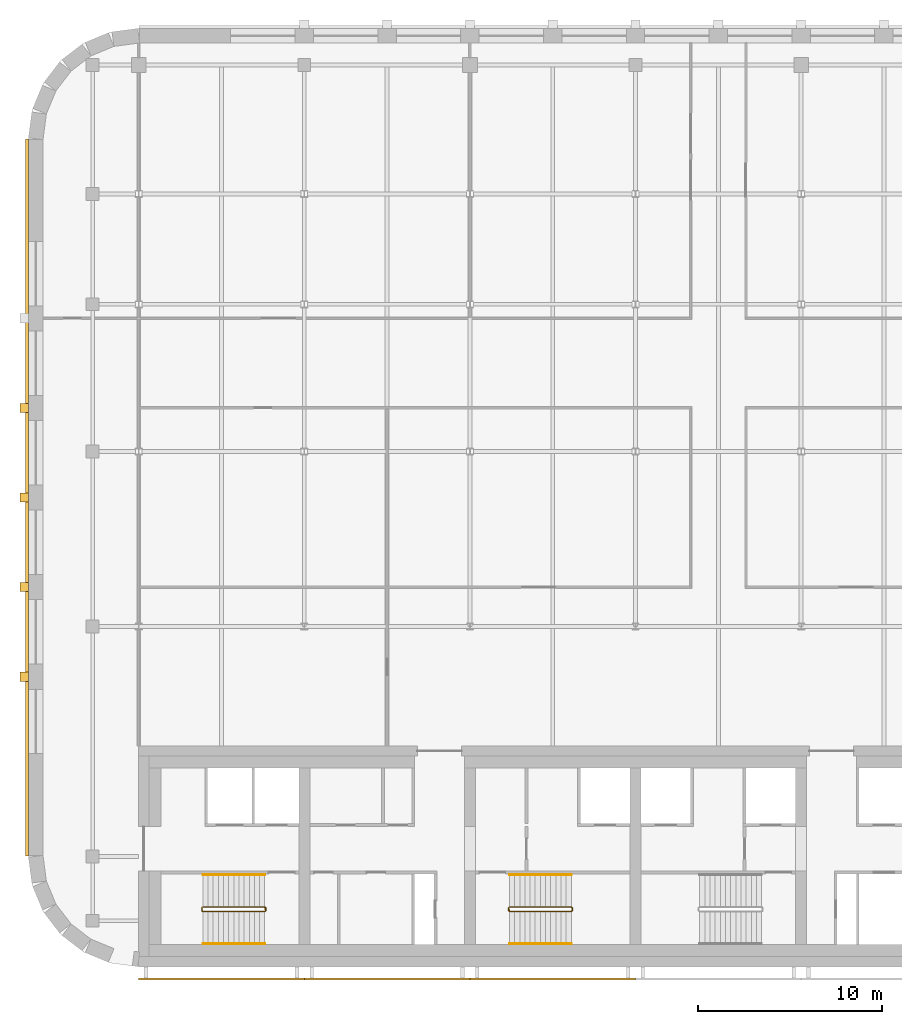
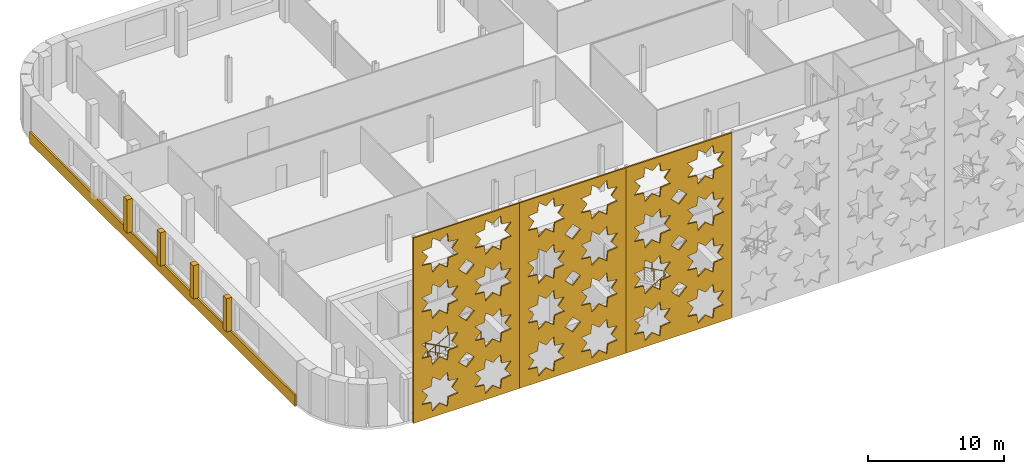
# One storey, part 12 of 14: 8 coverings, 6 railings.
"""IFC4 building model written with IfcOpenShell, lengths in metres."""

import ifcopenshell
import ifcopenshell.guid

model = None  # the IFC model being written
_history = None  # IfcOwnerHistory: only IFC2X3 demands one
_inside = {}  # id of a spatial element -> (the spatial element, [elements in it])
_under = {}  # id of a project, library or spatial element -> (it, [spatial elements below it])
_declared = {}  # id of a project -> (the project, [libraries it declares])
_typed = {}  # id of a type object -> (the type object, [elements of that type])
_made_of = {}  # id of a material, layer set ... -> (it, [elements and type objects made of it])


def new_model(schema):
    """Start an empty IFC model of exactly this schema.

    Asked for "IFC4X3", IfcOpenShell would pick the latest addendum, in which some entities
    have other attributes; the version numbers below select the first issue.
    IFC2X3 requires an IfcOwnerHistory on every rooted entity: one is made here for all.
    """
    global model, _history
    if schema == "IFC4X3":
        model = ifcopenshell.file(schema_version=(4, 3, 0, 0))
    else:
        model = ifcopenshell.file(schema=schema)
    _inside.clear()
    _under.clear()
    _declared.clear()
    _typed.clear()
    _made_of.clear()
    _history = None
    if model.schema == "IFC2X3":
        org = make("IfcOrganization", Name="unknown")
        user = make(
            "IfcPersonAndOrganization",
            ThePerson=make("IfcPerson", FamilyName="unknown"),
            TheOrganization=org,
        )
        app = make(
            "IfcApplication",
            ApplicationDeveloper=org,
            Version="unknown",
            ApplicationFullName="unknown",
            ApplicationIdentifier="unknown",
        )
        _history = make(
            "IfcOwnerHistory",
            OwningUser=user,
            OwningApplication=app,
            ChangeAction="ADDED",
            CreationDate=0,
        )
    return model


def make(cls, **values):
    """One entity of the class cls with the attributes given. An attribute that is None is left unset."""
    return model.create_entity(
        cls, **{name: value for name, value in values.items() if value is not None}
    )


def rooted(cls, **values):
    """An entity with a GlobalId (a new one), such as an element, a storey or a relation."""
    return make(cls, GlobalId=ifcopenshell.guid.new(), OwnerHistory=_history, **values)


def si_unit(unit_type, name, prefix=None):
    """IfcSIUnit, for example si_unit("LENGTHUNIT", "METRE", prefix="MILLI")."""
    return make("IfcSIUnit", UnitType=unit_type, Prefix=prefix, Name=name)


def assignment(units):
    """IfcUnitAssignment: the units of a project."""
    return None if units is None else make("IfcUnitAssignment", Units=units)


def point(xyz):
    """IfcCartesianPoint."""
    return None if xyz is None else make("IfcCartesianPoint", Coordinates=xyz)


def direction(xyz):
    """IfcDirection."""
    return None if xyz is None else make("IfcDirection", DirectionRatios=xyz)


def frame(location, z_axis=None, x_axis=None):
    """IfcAxis2Placement3D, a coordinate frame: its origin and axes. An axis left out is left unset."""
    return make(
        "IfcAxis2Placement3D",
        Location=point(location),
        Axis=direction(z_axis),
        RefDirection=direction(x_axis),
    )


def frame_2d(location, x_axis=None):
    """IfcAxis2Placement2D, a coordinate frame in the plane: its origin and x axis."""
    return make(
        "IfcAxis2Placement2D", Location=point(location), RefDirection=direction(x_axis)
    )


def origin():
    """The frame at (0, 0, 0) with its axes left unset."""
    return frame((0.0, 0.0, 0.0))


def origin_2d():
    """The frame at (0, 0) in the plane with its x axis left unset."""
    return frame_2d((0.0, 0.0))


def place(relative_to, where):
    """IfcLocalPlacement: puts the frame where relative to a parent placement (None: the world)."""
    return make(
        "IfcLocalPlacement", PlacementRelTo=relative_to, RelativePlacement=where
    )


def context(
    kind, dimensions, precision=None, world=None, true_north=None, identifier=None
):
    """IfcGeometricRepresentationContext, for example the 3D "Model" context."""
    return make(
        "IfcGeometricRepresentationContext",
        ContextIdentifier=identifier,
        ContextType=kind,
        CoordinateSpaceDimension=dimensions,
        Precision=precision,
        WorldCoordinateSystem=world,
        TrueNorth=true_north,
    )


def subcontext(parent, identifier, kind, view, scale=None):
    """IfcGeometricRepresentationSubContext, for example "Body" below "Model"."""
    return make(
        "IfcGeometricRepresentationSubContext",
        ContextIdentifier=identifier,
        ContextType=kind,
        ParentContext=parent,
        TargetScale=scale,
        TargetView=view,
    )


def project(units=None, contexts=None):
    """IfcProject with its units and contexts."""
    return rooted(
        "IfcProject",
        Name="project",
        RepresentationContexts=contexts,
        UnitsInContext=assignment(units),
    )


def spatial(cls, under=None, at=None, **own):
    """A site, building, storey or space (cls), placed at a placement, below another one or the project."""
    s = rooted(cls, ObjectPlacement=at, **own)
    if under is not None:
        _under.setdefault(under.id(), (under, []))[1].append(s)
    return s


def polyline(points):
    """IfcPolyline through the points."""
    return make("IfcPolyline", Points=[point(p) for p in points])


def profile(cls, at=None, kind="AREA", **sizes):
    """A parametric profile (cls). Its sizes go by their IFC names, for example OverallWidth=200.0."""
    return make(cls, ProfileType=kind, Position=at, **sizes)


def circle(**sizes):
    """IfcCircleProfileDef."""
    return profile("IfcCircleProfileDef", **sizes)


def outline(outer, holes=None, kind="AREA"):
    """IfcArbitraryClosedProfileDef: a profile drawn as a closed curve; with holes, ...WithVoids."""
    if holes is None:
        return make("IfcArbitraryClosedProfileDef", ProfileType=kind, OuterCurve=outer)
    return make(
        "IfcArbitraryProfileDefWithVoids",
        ProfileType=kind,
        OuterCurve=outer,
        InnerCurves=holes,
    )


def extrude(swept, where, along, depth):
    """IfcExtrudedAreaSolid: the profile swept, set in the frame where, extruded along a direction by depth."""
    return make(
        "IfcExtrudedAreaSolid",
        SweptArea=swept,
        Position=where,
        ExtrudedDirection=direction(along),
        Depth=depth,
    )


def shape(context_of_items, identifier, shape_type, items):
    """IfcShapeRepresentation: the items that make up one representation, for example the "Body"."""
    return make(
        "IfcShapeRepresentation",
        ContextOfItems=context_of_items,
        RepresentationIdentifier=identifier,
        RepresentationType=shape_type,
        Items=items,
    )


def material(Name=None, Category=None):
    """IfcMaterial."""
    return make("IfcMaterial", Name=Name, Category=Category)


def layer(
    of_material, thickness, ventilated=None, Name=None, Category=None, Priority=None
):
    """IfcMaterialLayer: one layer of a wall or slab, of a material (None: an air gap)."""
    return make(
        "IfcMaterialLayer",
        Material=of_material,
        LayerThickness=thickness,
        IsVentilated=ventilated,
        Name=Name,
        Category=Category,
        Priority=Priority,
    )


def layer_set(layers, Name=None):
    """IfcMaterialLayerSet."""
    return make("IfcMaterialLayerSet", MaterialLayers=layers, LayerSetName=Name)


def made_of(thing, what):
    """Note that an element or type object is made of a material, layer set ...; save() writes the relation."""
    if what is not None:
        _made_of.setdefault(what.id(), (what, []))[1].append(thing)
    return thing


def type_object(cls, material=None, **own):
    """A type object (cls), such as IfcWallType, which elements share."""
    return made_of(rooted(cls, **own), material)


def element(
    cls,
    number,
    at=None,
    inside=None,
    cuts=None,
    type_object=None,
    material=None,
    context=None,
    identifier="Body",
    shape_type=None,
    held_by="IfcProductDefinitionShape",
    body=None,
    shapes=None,
    **own,
):
    """One element of the class cls, such as IfcWall. Its Tag is "e" and its number.

    at: its placement. inside: the storey or other place that contains it. cuts: it is an
    opening in that element (IfcRelVoidsElement). A single representation is given by context,
    identifier, shape_type and body (its items); several are given by shapes. held_by: the class
    of the entity that holds the representations. save() writes the other relations.
    """
    e = rooted(cls, Tag="e%d" % number, ObjectPlacement=at, **own)
    if body is not None:
        shapes = [shape(context, identifier, shape_type, body)]
    if shapes is not None:
        e.Representation = make(held_by, Representations=shapes)
    if inside is not None:
        _inside.setdefault(inside.id(), (inside, []))[1].append(e)
    if cuts is not None:
        rooted(
            "IfcRelVoidsElement", RelatingBuildingElement=cuts, RelatedOpeningElement=e
        )
    if type_object is not None:
        _typed.setdefault(type_object.id(), (type_object, []))[1].append(e)
    return made_of(e, material)


def aggregate(whole, parts):
    """IfcRelAggregates: a whole, such as a stair, and the parts it consists of."""
    return rooted("IfcRelAggregates", RelatingObject=whole, RelatedObjects=parts)


def save(model, path):
    """Write the relations noted so far, then the file.

    IfcRelAggregates (storeys below a building ...), IfcRelContainedInSpatialStructure (elements
    in a storey), IfcRelDefinesByType, IfcRelAssociatesMaterial and IfcRelDeclares: one each for
    every whole, place, type object, material and project.
    """
    for whole, parts in _under.values():
        aggregate(whole, parts)
    for where, things in _inside.values():
        rooted(
            "IfcRelContainedInSpatialStructure",
            RelatedElements=things,
            RelatingStructure=where,
        )
    for kind, things in _typed.values():
        rooted("IfcRelDefinesByType", RelatedObjects=things, RelatingType=kind)
    for what, things in _made_of.values():
        rooted("IfcRelAssociatesMaterial", RelatedObjects=things, RelatingMaterial=what)
    for by, libraries in _declared.values():
        rooted("IfcRelDeclares", RelatingContext=by, RelatedDefinitions=libraries)
    model.write(path)


model = new_model("IFC4")

# Units and contexts
model_context = context("Model", 3, precision=1e-05, world=origin(), true_north=direction((0.0, 1.0)))
body_context = subcontext(model_context, "Body", "Model", "MODEL_VIEW")
ifc_project = project(units=[si_unit("LENGTHUNIT", "METRE"), si_unit("AREAUNIT", "SQUARE_METRE"), si_unit("VOLUMEUNIT", "CUBIC_METRE"), si_unit("PLANEANGLEUNIT", "RADIAN"), si_unit("MASSUNIT", "GRAM", prefix="KILO")], contexts=[model_context])

# Site, building, storey
site_placement = place(None, origin())
site = spatial("IfcSite", under=ifc_project, at=site_placement, CompositionType="ELEMENT")
building_placement = place(site_placement, origin())
building = spatial("IfcBuilding", under=site, at=building_placement, Name="Zellij Exchange Tower", CompositionType="ELEMENT")
storey_placement = place(building_placement, frame((0.0, 0.0, 288.5)))
storey = spatial("IfcBuildingStorey", under=building, at=storey_placement, Name="L68", CompositionType="ELEMENT", Elevation=288.5)

# Railings
ifc_material_1 = material(Name="Stainless steel", Category="steel")
railing_type_1 = type_object("IfcRailingType", Name="CORE-RG stair guard", PredefinedType="GUARDRAIL", material=ifc_material_1)
railing_1_placement = place(storey_placement, frame((-20.10009765625, -10.800048828125, 0.0)))
element("IfcRailing", 1, at=railing_1_placement, inside=storey, type_object=railing_type_1, Name="ST1 stair guard L68", PredefinedType="GUARDRAIL", context=body_context, shape_type="SweptSolid", body=[
    extrude(circle(Radius=0.02392578125, at=origin_2d()), frame((0.0, 0.0, 1.076171875), z_axis=(0.0, -1.0, 0.0), x_axis=(1.0, 0.0, 0.0)), (0.0, 0.0, 1.0), 0.14990234375),
    extrude(circle(Radius=0.02392578125, at=origin_2d()), frame((0.0, -0.14990234375, 1.076171875), z_axis=(-0.193691321961, 0.777613689637, 0.598164376644), x_axis=(-0.970351222016, -0.241699205484, 0.0)), (0.0, 0.0, 1.0), 0.257080078125),
    extrude(circle(Radius=0.02392578125, at=origin_2d()), frame((-0.0498046875, 0.050048828125, 1.22998046875), z_axis=(-0.876421534553, 0.0, 0.481544695509), x_axis=(0.0, -1.0, 0.0)), (0.0, 0.0, 1.0), 3.833984375),
    extrude(circle(Radius=0.02392578125, at=origin_2d()), frame((-3.409912109375, 0.050048828125, 3.076171875), z_axis=(-0.707106781187, -0.707106781187, 0.0), x_axis=(0.707106781187, -0.707106781187, 0.0)), (0.0, 0.0, 1.0), 0.07080078125),
    extrude(circle(Radius=0.02392578125, at=origin_2d()), frame((-3.4599609375, 0.0, 3.076171875), z_axis=(0.0, -1.0, 0.0), x_axis=(1.0, 0.0, 0.0)), (0.0, 0.0, 1.0), 0.14990234375),
    extrude(circle(Radius=0.02392578125, at=origin_2d()), frame((-3.4599609375, -0.14990234375, 3.076171875), z_axis=(0.295599637079, -0.295599637079, 0.908428152975), x_axis=(0.707106781187, 0.707106781187, 0.0)), (0.0, 0.0, 1.0), 0.16943359375),
    extrude(circle(Radius=0.02392578125, at=origin_2d()), frame((-3.409912109375, -0.199951171875, 3.22998046875), z_axis=(0.876421534553, 0.0, 0.481544695509), x_axis=(0.0, 1.0, 0.0)), (0.0, 0.0, 1.0), 3.833984375),
    extrude(circle(Radius=0.02099609375, at=origin_2d()), origin(), (0.0, 0.0, 1.0), 1.052001953125),
    extrude(circle(Radius=0.02099609375, at=origin_2d()), frame((0.0, -0.14990234375, 0.0)), (0.0, 0.0, 1.0), 1.052001953125),
    extrude(circle(Radius=0.02099609375, at=origin_2d()), frame((-0.0498046875, 0.050048828125, 0.15380859375)), (0.0, 0.0, 1.0), 1.052001953125),
    extrude(circle(Radius=0.02099609375, at=origin_2d()), frame((-0.889892578125, 0.050048828125, 0.615234375)), (0.0, 0.0, 1.0), 1.052001953125),
    extrude(circle(Radius=0.02099609375, at=origin_2d()), frame((-1.72998046875, 0.050048828125, 1.076904296875)), (0.0, 0.0, 1.0), 1.052001953125),
    extrude(circle(Radius=0.02099609375, at=origin_2d()), frame((-2.56982421875, 0.050048828125, 1.53857421875)), (0.0, 0.0, 1.0), 1.052001953125),
    extrude(circle(Radius=0.02099609375, at=origin_2d()), frame((-3.409912109375, 0.050048828125, 2.0)), (0.0, 0.0, 1.0), 1.052001953125),
    extrude(circle(Radius=0.02099609375, at=origin_2d()), frame((-3.4599609375, 0.0, 2.0)), (0.0, 0.0, 1.0), 1.052001953125),
    extrude(circle(Radius=0.02099609375, at=origin_2d()), frame((-3.4599609375, -0.14990234375, 2.0)), (0.0, 0.0, 1.0), 1.052001953125),
    extrude(circle(Radius=0.02099609375, at=origin_2d()), frame((-3.409912109375, -0.199951171875, 2.15380859375)), (0.0, 0.0, 1.0), 1.052001953125),
    extrude(circle(Radius=0.02099609375, at=origin_2d()), frame((-2.56982421875, -0.199951171875, 2.615234375)), (0.0, 0.0, 1.0), 1.052001953125),
    extrude(circle(Radius=0.02099609375, at=origin_2d()), frame((-1.72998046875, -0.199951171875, 3.076904296875)), (0.0, 0.0, 1.0), 1.052001953125),
    extrude(circle(Radius=0.02099609375, at=origin_2d()), frame((-0.889892578125, -0.199951171875, 3.53857421875)), (0.0, 0.0, 1.0), 1.052001953125),
    extrude(circle(Radius=0.02099609375, at=origin_2d()), frame((-0.0498046875, -0.199951171875, 4.0)), (0.0, 0.0, 1.0), 1.052001953125),
])
railing_2_placement = place(storey_placement, frame((-6.89990234375, -10.949951171875, 0.0)))
element("IfcRailing", 2, at=railing_2_placement, inside=storey, type_object=railing_type_1, Name="ST2 stair guard L68", PredefinedType="GUARDRAIL", context=body_context, shape_type="SweptSolid", body=[
    extrude(circle(Radius=0.02392578125, at=origin_2d()), frame((0.0, 0.0, 1.076171875), z_axis=(0.0, 1.0, 0.0), x_axis=(-1.0, 0.0, 0.0)), (0.0, 0.0, 1.0), 0.14990234375),
    extrude(circle(Radius=0.02392578125, at=origin_2d()), frame((0.0, 0.14990234375, 1.076171875), z_axis=(0.193691321961, -0.777613689637, 0.598164376644), x_axis=(0.970351222016, 0.241699205484, 0.0)), (0.0, 0.0, 1.0), 0.257080078125),
    extrude(circle(Radius=0.02392578125, at=origin_2d()), frame((0.0498046875, -0.050048828125, 1.22998046875), z_axis=(0.876421534553, 0.0, 0.481544695509), x_axis=(0.0, 1.0, 0.0)), (0.0, 0.0, 1.0), 3.833984375),
    extrude(circle(Radius=0.02392578125, at=origin_2d()), frame((3.409912109375, -0.050048828125, 3.076171875), z_axis=(0.707106781187, 0.707106781187, 0.0), x_axis=(-0.707106781187, 0.707106781187, 0.0)), (0.0, 0.0, 1.0), 0.07080078125),
    extrude(circle(Radius=0.02392578125, at=origin_2d()), frame((3.4599609375, 0.0, 3.076171875), z_axis=(0.0, 1.0, 0.0), x_axis=(-1.0, 0.0, 0.0)), (0.0, 0.0, 1.0), 0.14990234375),
    extrude(circle(Radius=0.02392578125, at=origin_2d()), frame((3.4599609375, 0.14990234375, 3.076171875), z_axis=(-0.295599637079, 0.295599637079, 0.908428152975), x_axis=(-0.707106781187, -0.707106781187, 0.0)), (0.0, 0.0, 1.0), 0.16943359375),
    extrude(circle(Radius=0.02392578125, at=origin_2d()), frame((3.409912109375, 0.199951171875, 3.22998046875), z_axis=(-0.876421534553, 0.0, 0.481544695509), x_axis=(0.0, -1.0, 0.0)), (0.0, 0.0, 1.0), 3.833984375),
    extrude(circle(Radius=0.02099609375, at=origin_2d()), origin(), (0.0, 0.0, 1.0), 1.052001953125),
    extrude(circle(Radius=0.02099609375, at=origin_2d()), frame((0.0, 0.14990234375, 0.0)), (0.0, 0.0, 1.0), 1.052001953125),
    extrude(circle(Radius=0.02099609375, at=origin_2d()), frame((0.0498046875, -0.050048828125, 0.15380859375)), (0.0, 0.0, 1.0), 1.052001953125),
    extrude(circle(Radius=0.02099609375, at=origin_2d()), frame((0.889892578125, -0.050048828125, 0.615234375)), (0.0, 0.0, 1.0), 1.052001953125),
    extrude(circle(Radius=0.02099609375, at=origin_2d()), frame((1.72998046875, -0.050048828125, 1.076904296875)), (0.0, 0.0, 1.0), 1.052001953125),
    extrude(circle(Radius=0.02099609375, at=origin_2d()), frame((2.56982421875, -0.050048828125, 1.53857421875)), (0.0, 0.0, 1.0), 1.052001953125),
    extrude(circle(Radius=0.02099609375, at=origin_2d()), frame((3.409912109375, -0.050048828125, 2.0)), (0.0, 0.0, 1.0), 1.052001953125),
    extrude(circle(Radius=0.02099609375, at=origin_2d()), frame((3.4599609375, 0.0, 2.0)), (0.0, 0.0, 1.0), 1.052001953125),
    extrude(circle(Radius=0.02099609375, at=origin_2d()), frame((3.4599609375, 0.14990234375, 2.0)), (0.0, 0.0, 1.0), 1.052001953125),
    extrude(circle(Radius=0.02099609375, at=origin_2d()), frame((3.409912109375, 0.199951171875, 2.15380859375)), (0.0, 0.0, 1.0), 1.052001953125),
    extrude(circle(Radius=0.02099609375, at=origin_2d()), frame((2.56982421875, 0.199951171875, 2.615234375)), (0.0, 0.0, 1.0), 1.052001953125),
    extrude(circle(Radius=0.02099609375, at=origin_2d()), frame((1.72998046875, 0.199951171875, 3.076904296875)), (0.0, 0.0, 1.0), 1.052001953125),
    extrude(circle(Radius=0.02099609375, at=origin_2d()), frame((0.889892578125, 0.199951171875, 3.53857421875)), (0.0, 0.0, 1.0), 1.052001953125),
    extrude(circle(Radius=0.02099609375, at=origin_2d()), frame((0.0498046875, 0.199951171875, 4.0)), (0.0, 0.0, 1.0), 1.052001953125),
])
railing_type_2 = type_object("IfcRailingType", Name="CORE-RH stair handrail", PredefinedType="HANDRAIL", material=ifc_material_1)
railing_3_placement = place(storey_placement, frame((-20.14990234375, -9.0, 0.15380859375)))
element("IfcRailing", 3, at=railing_3_placement, inside=storey, type_object=railing_type_2, Name="ST1 stair handrail L68", PredefinedType="HANDRAIL", context=body_context, shape_type="SweptSolid", body=[
    extrude(circle(Radius=0.02392578125, at=origin_2d()), frame((0.0, 0.0, 0.8759765625), z_axis=(-0.876421534553, 0.0, 0.481544695509), x_axis=(0.0, -1.0, 0.0)), (0.0, 0.0, 1.0), 3.833984375),
    extrude(circle(Radius=0.02099609375, at=origin_2d()), origin(), (0.0, 0.0, 1.0), 0.851806640625),
    extrude(circle(Radius=0.02099609375, at=origin_2d()), frame((-0.840087890625, 0.0, 0.46142578125)), (0.0, 0.0, 1.0), 0.851806640625),
    extrude(circle(Radius=0.02099609375, at=origin_2d()), frame((-1.68017578125, 0.0, 0.923095703125)), (0.0, 0.0, 1.0), 0.851806640625),
    extrude(circle(Radius=0.02099609375, at=origin_2d()), frame((-2.52001953125, 0.0, 1.384765625)), (0.0, 0.0, 1.0), 0.851806640625),
    extrude(circle(Radius=0.02099609375, at=origin_2d()), frame((-3.360107421875, 0.0, 1.84619140625)), (0.0, 0.0, 1.0), 0.851806640625),
])
for number, where, name in (
    (4, (-23.510009765625, -12.75, 2.15380859375), "ST1 stair handrail L68"),
    (5, (-6.85009765625, -12.75, 0.15380859375), "ST2 stair handrail L68"),
):
    element("IfcRailing", number, at=place(storey_placement, frame(where)), inside=storey, type_object=railing_type_2, Name=name, PredefinedType="HANDRAIL", context=body_context, shape_type="SweptSolid", body=[
        extrude(circle(Radius=0.02392578125, at=origin_2d()), frame((0.0, 0.0, 0.8759765625), z_axis=(0.876421534553, 0.0, 0.481544695509), x_axis=(0.0, 1.0, 0.0)), (0.0, 0.0, 1.0), 3.833984375),
        extrude(circle(Radius=0.02099609375, at=origin_2d()), origin(), (0.0, 0.0, 1.0), 0.851806640625),
        extrude(circle(Radius=0.02099609375, at=origin_2d()), frame((0.840087890625, 0.0, 0.46142578125)), (0.0, 0.0, 1.0), 0.851806640625),
        extrude(circle(Radius=0.02099609375, at=origin_2d()), frame((1.68017578125, 0.0, 0.923095703125)), (0.0, 0.0, 1.0), 0.851806640625),
        extrude(circle(Radius=0.02099609375, at=origin_2d()), frame((2.52001953125, 0.0, 1.384765625)), (0.0, 0.0, 1.0), 0.851806640625),
        extrude(circle(Radius=0.02099609375, at=origin_2d()), frame((3.360107421875, 0.0, 1.84619140625)), (0.0, 0.0, 1.0), 0.851806640625),
    ])
railing_4_placement = place(storey_placement, frame((-3.489990234375, -9.0, 2.15380859375)))
element("IfcRailing", 6, at=railing_4_placement, inside=storey, type_object=railing_type_2, Name="ST2 stair handrail L68", PredefinedType="HANDRAIL", context=body_context, shape_type="SweptSolid", body=[
    extrude(circle(Radius=0.02392578125, at=origin_2d()), frame((0.0, 0.0, 0.8759765625), z_axis=(-0.876421534553, 0.0, 0.481544695509), x_axis=(0.0, -1.0, 0.0)), (0.0, 0.0, 1.0), 3.833984375),
    extrude(circle(Radius=0.02099609375, at=origin_2d()), origin(), (0.0, 0.0, 1.0), 0.851806640625),
    extrude(circle(Radius=0.02099609375, at=origin_2d()), frame((-0.840087890625, 0.0, 0.46142578125)), (0.0, 0.0, 1.0), 0.851806640625),
    extrude(circle(Radius=0.02099609375, at=origin_2d()), frame((-1.68017578125, 0.0, 0.923095703125)), (0.0, 0.0, 1.0), 0.851806640625),
    extrude(circle(Radius=0.02099609375, at=origin_2d()), frame((-2.52001953125, 0.0, 1.384765625)), (0.0, 0.0, 1.0), 0.851806640625),
    extrude(circle(Radius=0.02099609375, at=origin_2d()), frame((-3.360107421875, 0.0, 1.84619140625)), (0.0, 0.0, 1.0), 0.851806640625),
])

# Coverings
ifc_material_2 = material(Name="Limestone cladding", Category="masonry")
ifc_layer_1 = layer(ifc_material_2, 0.14990234375)
ifc_layer_set_1 = layer_set([ifc_layer_1], Name="Limestone cladding")
covering_type_1 = type_object("IfcCoveringType", Name="ENV-CV1 Stone spandrel band 150", PredefinedType="CLADDING", material=ifc_layer_set_1)
covering_1_placement = place(storey_placement, frame((0.0, 0.0, -0.219970703125)))
element("IfcCovering", 7, at=covering_1_placement, inside=storey, type_object=covering_type_1, Name="Stone spandrel band", PredefinedType="CLADDING", context=body_context, shape_type="SweptSolid", body=[
    extrude(outline(polyline([(-33.0, 30.973876953125), (-33.0, -7.973876953125), (-33.14990234375, -7.983642578125), (-33.14990234375, 30.983642578125), (-33.0, 30.973876953125)])), origin(), (0.0, 0.0, 1.0), 1.02001953125),
])
covering_type_2 = type_object("IfcCoveringType", Name="ENV-CV4 Stone pier 500x450", PredefinedType="CLADDING", material=ifc_material_2)
covering_2_placement = place(storey_placement, frame((0.0, 0.0, 0.800048828125)))
element("IfcCovering", 8, at=covering_2_placement, inside=storey, type_object=covering_type_2, Name="Stone pier", PredefinedType="CLADDING", context=body_context, shape_type="SweptSolid", body=[
    extrude(outline(polyline([(-33.0, 16.618408203125), (-33.0, 16.118408203125), (-33.449951171875, 16.118408203125), (-33.449951171875, 16.618408203125), (-33.0, 16.618408203125)])), origin(), (0.0, 0.0, 1.0), 2.97998046875),
])
covering_3_placement = place(storey_placement, frame((0.0, 0.0, 0.800048828125)))
element("IfcCovering", 9, at=covering_3_placement, inside=storey, type_object=covering_type_2, Name="Stone pier", PredefinedType="CLADDING", context=body_context, shape_type="SweptSolid", body=[
    extrude(outline(polyline([(-33.0, 11.75), (-33.0, 11.25), (-33.449951171875, 11.25), (-33.449951171875, 11.75), (-33.0, 11.75)])), origin(), (0.0, 0.0, 1.0), 2.97998046875),
])
covering_4_placement = place(storey_placement, frame((0.0, 0.0, 0.800048828125)))
element("IfcCovering", 10, at=covering_4_placement, inside=storey, type_object=covering_type_2, Name="Stone pier", PredefinedType="CLADDING", context=body_context, shape_type="SweptSolid", body=[
    extrude(outline(polyline([(-33.0, 6.881591796875), (-33.0, 6.381591796875), (-33.449951171875, 6.381591796875), (-33.449951171875, 6.881591796875), (-33.0, 6.881591796875)])), origin(), (0.0, 0.0, 1.0), 2.97998046875),
])
covering_5_placement = place(storey_placement, frame((0.0, 0.0, 0.800048828125)))
element("IfcCovering", 11, at=covering_5_placement, inside=storey, type_object=covering_type_2, Name="Stone pier", PredefinedType="CLADDING", context=body_context, shape_type="SweptSolid", body=[
    extrude(outline(polyline([(-33.0, 2.01318359375), (-33.0, 1.51318359375), (-33.449951171875, 1.51318359375), (-33.449951171875, 2.01318359375), (-33.0, 2.01318359375)])), origin(), (0.0, 0.0, 1.0), 2.97998046875),
])
ifc_material_3 = material(Name="Limestone screen", Category="masonry")
ifc_layer_2 = layer(ifc_material_3, 0.1201171875)
ifc_layer_set_2 = layer_set([ifc_layer_2], Name="Limestone screen")
covering_type_3 = type_object("IfcCoveringType", Name="ENV-SC5 Pierced stone relief 120", PredefinedType="USERDEFINED", material=ifc_layer_set_2)
covering_6_placement = place(storey_placement, frame((-27.0, -14.659912109375, 0.199951171875), z_axis=(0.0, 0.0, 1.0), x_axis=(1.0, 0.0, 0.0)))
element("IfcCovering", 12, at=covering_6_placement, inside=storey, type_object=covering_type_3, Name="Pierced stone relief", ObjectType="SCREEN", PredefinedType="USERDEFINED", context=body_context, shape_type="SweptSolid", body=[
    extrude(outline(polyline([(0.0, 0.0), (9.0, 0.0), (9.0, 16.60009765625), (0.0, 16.60009765625), (0.0, 0.0)]), holes=[polyline([(3.78369140625, 2.710205078125), (2.977783203125, 2.802734375), (2.88525390625, 3.608642578125), (2.25, 3.104248046875), (1.61474609375, 3.608642578125), (1.522216796875, 2.802734375), (0.71630859375, 2.710205078125), (1.220703125, 2.074951171875), (0.71630859375, 1.439697265625), (1.522216796875, 1.34716796875), (1.61474609375, 0.54150390625), (2.25, 1.0458984375), (2.88525390625, 0.54150390625), (2.977783203125, 1.34716796875), (3.78369140625, 1.439697265625), (3.279296875, 2.074951171875), (3.78369140625, 2.710205078125)]), polyline([(3.78369140625, 6.8603515625), (2.977783203125, 6.952880859375), (2.88525390625, 7.758544921875), (2.25, 7.254150390625), (1.61474609375, 7.758544921875), (1.522216796875, 6.952880859375), (0.71630859375, 6.8603515625), (1.220703125, 6.22509765625), (0.71630859375, 5.589599609375), (1.522216796875, 5.497314453125), (1.61474609375, 4.69140625), (2.25, 5.19580078125), (2.88525390625, 4.69140625), (2.977783203125, 5.497314453125), (3.78369140625, 5.589599609375), (3.279296875, 6.22509765625), (3.78369140625, 6.8603515625)]), polyline([(3.78369140625, 11.01025390625), (2.977783203125, 11.102783203125), (2.88525390625, 11.90869140625), (2.25, 11.404296875), (1.61474609375, 11.90869140625), (1.522216796875, 11.102783203125), (0.71630859375, 11.01025390625), (1.220703125, 10.375), (0.71630859375, 9.73974609375), (1.522216796875, 9.647216796875), (1.61474609375, 8.84130859375), (2.25, 9.345703125), (2.88525390625, 8.84130859375), (2.977783203125, 9.647216796875), (3.78369140625, 9.73974609375), (3.279296875, 10.375), (3.78369140625, 11.01025390625)]), polyline([(3.78369140625, 15.160400390625), (2.977783203125, 15.252685546875), (2.88525390625, 16.05859375), (2.25, 15.55419921875), (1.61474609375, 16.05859375), (1.522216796875, 15.252685546875), (0.71630859375, 15.160400390625), (1.220703125, 14.52490234375), (0.71630859375, 13.8896484375), (1.522216796875, 13.797119140625), (1.61474609375, 12.991455078125), (2.25, 13.495849609375), (2.88525390625, 12.991455078125), (2.977783203125, 13.797119140625), (3.78369140625, 13.8896484375), (3.279296875, 14.52490234375), (3.78369140625, 15.160400390625)]), polyline([(8.28369140625, 2.710205078125), (7.477783203125, 2.802734375), (7.38525390625, 3.608642578125), (6.75, 3.104248046875), (6.11474609375, 3.608642578125), (6.022216796875, 2.802734375), (5.21630859375, 2.710205078125), (5.720703125, 2.074951171875), (5.21630859375, 1.439697265625), (6.022216796875, 1.34716796875), (6.11474609375, 0.54150390625), (6.75, 1.0458984375), (7.38525390625, 0.54150390625), (7.477783203125, 1.34716796875), (8.28369140625, 1.439697265625), (7.779296875, 2.074951171875), (8.28369140625, 2.710205078125)]), polyline([(8.28369140625, 6.8603515625), (7.477783203125, 6.952880859375), (7.38525390625, 7.758544921875), (6.75, 7.254150390625), (6.11474609375, 7.758544921875), (6.022216796875, 6.952880859375), (5.21630859375, 6.8603515625), (5.720703125, 6.22509765625), (5.21630859375, 5.589599609375), (6.022216796875, 5.497314453125), (6.11474609375, 4.69140625), (6.75, 5.19580078125), (7.38525390625, 4.69140625), (7.477783203125, 5.497314453125), (8.28369140625, 5.589599609375), (7.779296875, 6.22509765625), (8.28369140625, 6.8603515625)]), polyline([(8.28369140625, 11.01025390625), (7.477783203125, 11.102783203125), (7.38525390625, 11.90869140625), (6.75, 11.404296875), (6.11474609375, 11.90869140625), (6.022216796875, 11.102783203125), (5.21630859375, 11.01025390625), (5.720703125, 10.375), (5.21630859375, 9.73974609375), (6.022216796875, 9.647216796875), (6.11474609375, 8.84130859375), (6.75, 9.345703125), (7.38525390625, 8.84130859375), (7.477783203125, 9.647216796875), (8.28369140625, 9.73974609375), (7.779296875, 10.375), (8.28369140625, 11.01025390625)]), polyline([(8.28369140625, 15.160400390625), (7.477783203125, 15.252685546875), (7.38525390625, 16.05859375), (6.75, 15.55419921875), (6.11474609375, 16.05859375), (6.022216796875, 15.252685546875), (5.21630859375, 15.160400390625), (5.720703125, 14.52490234375), (5.21630859375, 13.8896484375), (6.022216796875, 13.797119140625), (6.11474609375, 12.991455078125), (6.75, 13.495849609375), (7.38525390625, 12.991455078125), (7.477783203125, 13.797119140625), (8.28369140625, 13.8896484375), (7.779296875, 14.52490234375), (8.28369140625, 15.160400390625)]), polyline([(5.1640625, 4.14990234375), (4.5, 4.81396484375), (3.8359375, 4.14990234375), (4.5, 3.486083984375), (5.1640625, 4.14990234375)]), polyline([(5.1640625, 8.300048828125), (4.5, 8.964111328125), (3.8359375, 8.300048828125), (4.5, 7.635986328125), (5.1640625, 8.300048828125)]), polyline([(5.1640625, 12.449951171875), (4.5, 13.114013671875), (3.8359375, 12.449951171875), (4.5, 11.785888671875), (5.1640625, 12.449951171875)])]), frame((0.0, 0.06005859375, 0.0), z_axis=(0.0, -1.0, 0.0), x_axis=(1.0, 0.0, 0.0)), (0.0, 0.0, 1.0), 0.1201171875),
])
covering_7_placement = place(storey_placement, frame((-18.0, -14.659912109375, 0.199951171875), z_axis=(0.0, 0.0, 1.0), x_axis=(1.0, 0.0, 0.0)))
element("IfcCovering", 13, at=covering_7_placement, inside=storey, type_object=covering_type_3, Name="Pierced stone relief", ObjectType="SCREEN", PredefinedType="USERDEFINED", context=body_context, shape_type="SweptSolid", body=[
    extrude(outline(polyline([(0.0, 0.0), (9.0, 0.0), (9.0, 16.60009765625), (0.0, 16.60009765625), (0.0, 0.0)]), holes=[polyline([(3.78369140625, 2.710205078125), (2.977783203125, 2.802734375), (2.88525390625, 3.608642578125), (2.25, 3.104248046875), (1.61474609375, 3.608642578125), (1.522216796875, 2.802734375), (0.71630859375, 2.710205078125), (1.220703125, 2.074951171875), (0.71630859375, 1.439697265625), (1.522216796875, 1.34716796875), (1.61474609375, 0.54150390625), (2.25, 1.0458984375), (2.88525390625, 0.54150390625), (2.977783203125, 1.34716796875), (3.78369140625, 1.439697265625), (3.279296875, 2.074951171875), (3.78369140625, 2.710205078125)]), polyline([(3.78369140625, 6.8603515625), (2.977783203125, 6.952880859375), (2.88525390625, 7.758544921875), (2.25, 7.254150390625), (1.61474609375, 7.758544921875), (1.522216796875, 6.952880859375), (0.71630859375, 6.8603515625), (1.220703125, 6.22509765625), (0.71630859375, 5.589599609375), (1.522216796875, 5.497314453125), (1.61474609375, 4.69140625), (2.25, 5.19580078125), (2.88525390625, 4.69140625), (2.977783203125, 5.497314453125), (3.78369140625, 5.589599609375), (3.279296875, 6.22509765625), (3.78369140625, 6.8603515625)]), polyline([(3.78369140625, 11.01025390625), (2.977783203125, 11.102783203125), (2.88525390625, 11.90869140625), (2.25, 11.404296875), (1.61474609375, 11.90869140625), (1.522216796875, 11.102783203125), (0.71630859375, 11.01025390625), (1.220703125, 10.375), (0.71630859375, 9.73974609375), (1.522216796875, 9.647216796875), (1.61474609375, 8.84130859375), (2.25, 9.345703125), (2.88525390625, 8.84130859375), (2.977783203125, 9.647216796875), (3.78369140625, 9.73974609375), (3.279296875, 10.375), (3.78369140625, 11.01025390625)]), polyline([(3.78369140625, 15.160400390625), (2.977783203125, 15.252685546875), (2.88525390625, 16.05859375), (2.25, 15.55419921875), (1.61474609375, 16.05859375), (1.522216796875, 15.252685546875), (0.71630859375, 15.160400390625), (1.220703125, 14.52490234375), (0.71630859375, 13.8896484375), (1.522216796875, 13.797119140625), (1.61474609375, 12.991455078125), (2.25, 13.495849609375), (2.88525390625, 12.991455078125), (2.977783203125, 13.797119140625), (3.78369140625, 13.8896484375), (3.279296875, 14.52490234375), (3.78369140625, 15.160400390625)]), polyline([(8.28369140625, 2.710205078125), (7.477783203125, 2.802734375), (7.38525390625, 3.608642578125), (6.75, 3.104248046875), (6.11474609375, 3.608642578125), (6.022216796875, 2.802734375), (5.21630859375, 2.710205078125), (5.720703125, 2.074951171875), (5.21630859375, 1.439697265625), (6.022216796875, 1.34716796875), (6.11474609375, 0.54150390625), (6.75, 1.0458984375), (7.38525390625, 0.54150390625), (7.477783203125, 1.34716796875), (8.28369140625, 1.439697265625), (7.779296875, 2.074951171875), (8.28369140625, 2.710205078125)]), polyline([(8.28369140625, 6.8603515625), (7.477783203125, 6.952880859375), (7.38525390625, 7.758544921875), (6.75, 7.254150390625), (6.11474609375, 7.758544921875), (6.022216796875, 6.952880859375), (5.21630859375, 6.8603515625), (5.720703125, 6.22509765625), (5.21630859375, 5.589599609375), (6.022216796875, 5.497314453125), (6.11474609375, 4.69140625), (6.75, 5.19580078125), (7.38525390625, 4.69140625), (7.477783203125, 5.497314453125), (8.28369140625, 5.589599609375), (7.779296875, 6.22509765625), (8.28369140625, 6.8603515625)]), polyline([(8.28369140625, 11.01025390625), (7.477783203125, 11.102783203125), (7.38525390625, 11.90869140625), (6.75, 11.404296875), (6.11474609375, 11.90869140625), (6.022216796875, 11.102783203125), (5.21630859375, 11.01025390625), (5.720703125, 10.375), (5.21630859375, 9.73974609375), (6.022216796875, 9.647216796875), (6.11474609375, 8.84130859375), (6.75, 9.345703125), (7.38525390625, 8.84130859375), (7.477783203125, 9.647216796875), (8.28369140625, 9.73974609375), (7.779296875, 10.375), (8.28369140625, 11.01025390625)]), polyline([(8.28369140625, 15.160400390625), (7.477783203125, 15.252685546875), (7.38525390625, 16.05859375), (6.75, 15.55419921875), (6.11474609375, 16.05859375), (6.022216796875, 15.252685546875), (5.21630859375, 15.160400390625), (5.720703125, 14.52490234375), (5.21630859375, 13.8896484375), (6.022216796875, 13.797119140625), (6.11474609375, 12.991455078125), (6.75, 13.495849609375), (7.38525390625, 12.991455078125), (7.477783203125, 13.797119140625), (8.28369140625, 13.8896484375), (7.779296875, 14.52490234375), (8.28369140625, 15.160400390625)]), polyline([(5.1640625, 4.14990234375), (4.5, 4.81396484375), (3.8359375, 4.14990234375), (4.5, 3.486083984375), (5.1640625, 4.14990234375)]), polyline([(5.1640625, 8.300048828125), (4.5, 8.964111328125), (3.8359375, 8.300048828125), (4.5, 7.635986328125), (5.1640625, 8.300048828125)]), polyline([(5.1640625, 12.449951171875), (4.5, 13.114013671875), (3.8359375, 12.449951171875), (4.5, 11.785888671875), (5.1640625, 12.449951171875)])]), frame((0.0, 0.06005859375, 0.0), z_axis=(0.0, -1.0, 0.0), x_axis=(1.0, 0.0, 0.0)), (0.0, 0.0, 1.0), 0.1201171875),
])
covering_8_placement = place(storey_placement, frame((-9.0, -14.659912109375, 0.199951171875), z_axis=(0.0, 0.0, 1.0), x_axis=(1.0, 0.0, 0.0)))
element("IfcCovering", 14, at=covering_8_placement, inside=storey, type_object=covering_type_3, Name="Pierced stone relief", ObjectType="SCREEN", PredefinedType="USERDEFINED", context=body_context, shape_type="SweptSolid", body=[
    extrude(outline(polyline([(0.0, 0.0), (9.0, 0.0), (9.0, 16.60009765625), (0.0, 16.60009765625), (0.0, 0.0)]), holes=[polyline([(3.78369140625, 2.710205078125), (2.977783203125, 2.802734375), (2.88525390625, 3.608642578125), (2.25, 3.104248046875), (1.61474609375, 3.608642578125), (1.522216796875, 2.802734375), (0.71630859375, 2.710205078125), (1.220703125, 2.074951171875), (0.71630859375, 1.439697265625), (1.522216796875, 1.34716796875), (1.61474609375, 0.54150390625), (2.25, 1.0458984375), (2.88525390625, 0.54150390625), (2.977783203125, 1.34716796875), (3.78369140625, 1.439697265625), (3.279296875, 2.074951171875), (3.78369140625, 2.710205078125)]), polyline([(3.78369140625, 6.8603515625), (2.977783203125, 6.952880859375), (2.88525390625, 7.758544921875), (2.25, 7.254150390625), (1.61474609375, 7.758544921875), (1.522216796875, 6.952880859375), (0.71630859375, 6.8603515625), (1.220703125, 6.22509765625), (0.71630859375, 5.589599609375), (1.522216796875, 5.497314453125), (1.61474609375, 4.69140625), (2.25, 5.19580078125), (2.88525390625, 4.69140625), (2.977783203125, 5.497314453125), (3.78369140625, 5.589599609375), (3.279296875, 6.22509765625), (3.78369140625, 6.8603515625)]), polyline([(3.78369140625, 11.01025390625), (2.977783203125, 11.102783203125), (2.88525390625, 11.90869140625), (2.25, 11.404296875), (1.61474609375, 11.90869140625), (1.522216796875, 11.102783203125), (0.71630859375, 11.01025390625), (1.220703125, 10.375), (0.71630859375, 9.73974609375), (1.522216796875, 9.647216796875), (1.61474609375, 8.84130859375), (2.25, 9.345703125), (2.88525390625, 8.84130859375), (2.977783203125, 9.647216796875), (3.78369140625, 9.73974609375), (3.279296875, 10.375), (3.78369140625, 11.01025390625)]), polyline([(3.78369140625, 15.160400390625), (2.977783203125, 15.252685546875), (2.88525390625, 16.05859375), (2.25, 15.55419921875), (1.61474609375, 16.05859375), (1.522216796875, 15.252685546875), (0.71630859375, 15.160400390625), (1.220703125, 14.52490234375), (0.71630859375, 13.8896484375), (1.522216796875, 13.797119140625), (1.61474609375, 12.991455078125), (2.25, 13.495849609375), (2.88525390625, 12.991455078125), (2.977783203125, 13.797119140625), (3.78369140625, 13.8896484375), (3.279296875, 14.52490234375), (3.78369140625, 15.160400390625)]), polyline([(8.28369140625, 2.710205078125), (7.477783203125, 2.802734375), (7.38525390625, 3.608642578125), (6.75, 3.104248046875), (6.11474609375, 3.608642578125), (6.022216796875, 2.802734375), (5.21630859375, 2.710205078125), (5.720703125, 2.074951171875), (5.21630859375, 1.439697265625), (6.022216796875, 1.34716796875), (6.11474609375, 0.54150390625), (6.75, 1.0458984375), (7.38525390625, 0.54150390625), (7.477783203125, 1.34716796875), (8.28369140625, 1.439697265625), (7.779296875, 2.074951171875), (8.28369140625, 2.710205078125)]), polyline([(8.28369140625, 6.8603515625), (7.477783203125, 6.952880859375), (7.38525390625, 7.758544921875), (6.75, 7.254150390625), (6.11474609375, 7.758544921875), (6.022216796875, 6.952880859375), (5.21630859375, 6.8603515625), (5.720703125, 6.22509765625), (5.21630859375, 5.589599609375), (6.022216796875, 5.497314453125), (6.11474609375, 4.69140625), (6.75, 5.19580078125), (7.38525390625, 4.69140625), (7.477783203125, 5.497314453125), (8.28369140625, 5.589599609375), (7.779296875, 6.22509765625), (8.28369140625, 6.8603515625)]), polyline([(8.28369140625, 11.01025390625), (7.477783203125, 11.102783203125), (7.38525390625, 11.90869140625), (6.75, 11.404296875), (6.11474609375, 11.90869140625), (6.022216796875, 11.102783203125), (5.21630859375, 11.01025390625), (5.720703125, 10.375), (5.21630859375, 9.73974609375), (6.022216796875, 9.647216796875), (6.11474609375, 8.84130859375), (6.75, 9.345703125), (7.38525390625, 8.84130859375), (7.477783203125, 9.647216796875), (8.28369140625, 9.73974609375), (7.779296875, 10.375), (8.28369140625, 11.01025390625)]), polyline([(8.28369140625, 15.160400390625), (7.477783203125, 15.252685546875), (7.38525390625, 16.05859375), (6.75, 15.55419921875), (6.11474609375, 16.05859375), (6.022216796875, 15.252685546875), (5.21630859375, 15.160400390625), (5.720703125, 14.52490234375), (5.21630859375, 13.8896484375), (6.022216796875, 13.797119140625), (6.11474609375, 12.991455078125), (6.75, 13.495849609375), (7.38525390625, 12.991455078125), (7.477783203125, 13.797119140625), (8.28369140625, 13.8896484375), (7.779296875, 14.52490234375), (8.28369140625, 15.160400390625)]), polyline([(5.1640625, 4.14990234375), (4.5, 4.81396484375), (3.8359375, 4.14990234375), (4.5, 3.486083984375), (5.1640625, 4.14990234375)]), polyline([(5.1640625, 8.300048828125), (4.5, 8.964111328125), (3.8359375, 8.300048828125), (4.5, 7.635986328125), (5.1640625, 8.300048828125)]), polyline([(5.1640625, 12.449951171875), (4.5, 13.114013671875), (3.8359375, 12.449951171875), (4.5, 11.785888671875), (5.1640625, 12.449951171875)])]), frame((0.0, 0.06005859375, 0.0), z_axis=(0.0, -1.0, 0.0), x_axis=(1.0, 0.0, 0.0)), (0.0, 0.0, 1.0), 0.1201171875),
])

save(model, "model.ifc")
